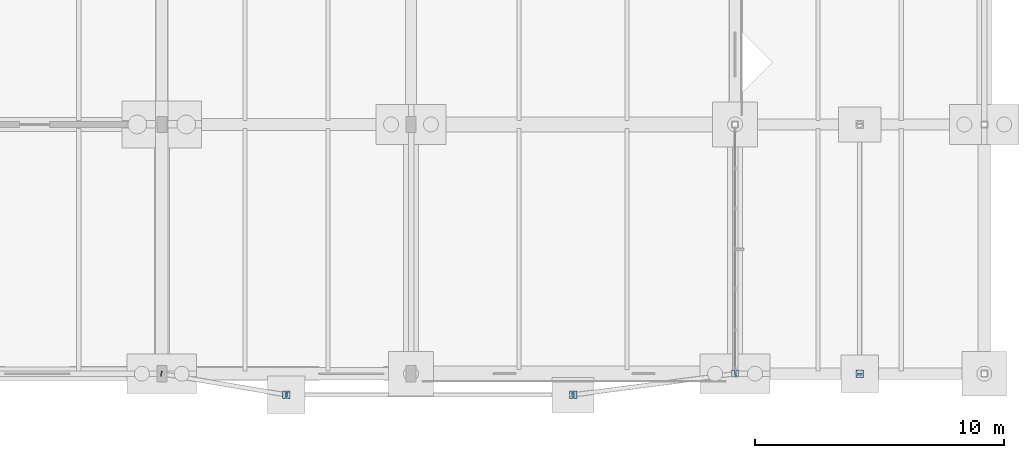
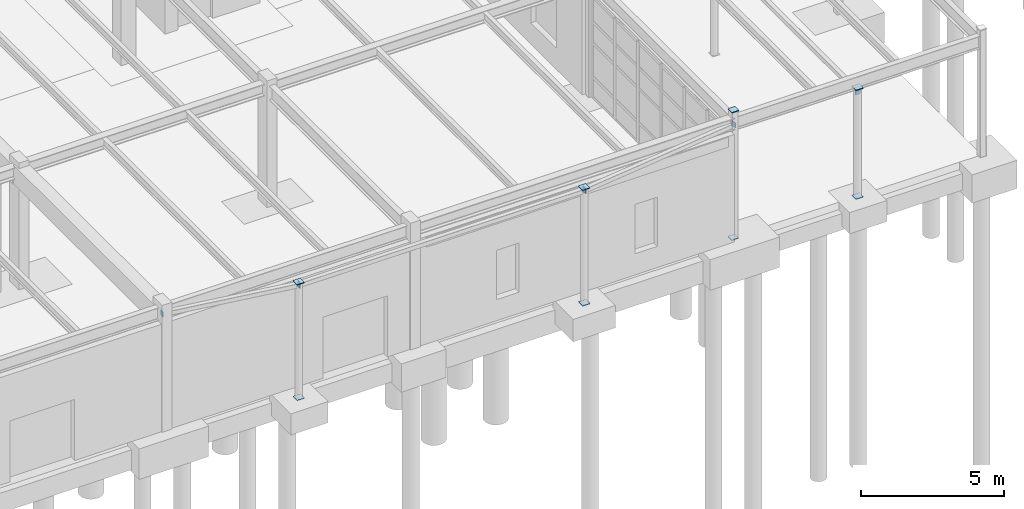
# One storey, part 101 of 145: 15 plates.
"""IFC4 building model written with IfcOpenShell, lengths in metres."""

from ifc_helpers import new_model, si_unit, direction, frame, origin, origin_2d, place, context, subcontext, project, spatial, rectangle, extrude, material, layer, layer_set, type_object, element, save


model = new_model("IFC4")

# Units and contexts
model_context = context("Model", 3, precision=1e-05, world=origin(), true_north=direction((0.0, 1.0)))
body_context = subcontext(model_context, "Body", "Model", "MODEL_VIEW")
ifc_project = project(units=[si_unit("LENGTHUNIT", "METRE"), si_unit("AREAUNIT", "SQUARE_METRE"), si_unit("VOLUMEUNIT", "CUBIC_METRE"), si_unit("PLANEANGLEUNIT", "RADIAN"), si_unit("MASSUNIT", "GRAM", prefix="KILO"), si_unit("THERMODYNAMICTEMPERATUREUNIT", "KELVIN"), si_unit("POWERUNIT", "WATT")], contexts=[model_context])

# Site, building, storey
site_placement = place(None, origin())
site = spatial("IfcSite", under=ifc_project, at=site_placement, CompositionType="ELEMENT")
building_placement = place(site_placement, origin())
building = spatial("IfcBuilding", under=site, at=building_placement, Name="Korenveer Ferry Terminal", CompositionType="ELEMENT")
storey_placement = place(building_placement, origin())
storey = spatial("IfcBuildingStorey", under=building, at=storey_placement, Name="L00", CompositionType="ELEMENT", Elevation=0.0)

# Plates
ifc_material = material(Name="Steel S355", Category="steel")
ifc_layer = layer(ifc_material, 0.031982421875)
ifc_layer_set = layer_set([ifc_layer], Name="Steel S355")
plate_type = type_object("IfcPlateType", Name="STR-PLT-CAP32", PredefinedType="USERDEFINED", material=ifc_layer_set)
for number, where, z_axis, x_axis, name in (
    (1, (53.0, 0.0, -0.0322265625), (0.0, 0.0, 1.0), (1.0, 0.0, 0.0), "Hollow section end cap 6"),
    (2, (53.0, 0.0, 5.39990234375), (0.0, 0.0, 1.0), (1.0, 0.0, 0.0), "Hollow section end cap 7"),
):
    element("IfcPlate", number, at=place(storey_placement, frame(where, z_axis=z_axis, x_axis=x_axis)), inside=storey, type_object=plate_type, Name=name, ObjectType="END CAP PLATE", PredefinedType="USERDEFINED", context=body_context, shape_type="SweptSolid", body=[
        extrude(rectangle(XDim=0.280029296875, YDim=0.280029296875, at=origin_2d()), origin(), (0.0, 0.0, 1.0), 0.031982421875),
    ])
for number, where, z_axis, x_axis, name in (
    (3, (35.0, -0.85009765625, -0.0322265625), (0.0, 0.0, 1.0), (1.0, 0.0, 0.0), "Hollow section end cap 534"),
    (4, (35.0, -0.85009765625, 4.89990234375), (0.0, 0.0, 1.0), (1.0, 0.0, 0.0), "Hollow section end cap 535"),
    (5, (46.5, -0.85009765625, -0.0322265625), (0.0, 0.0, 1.0), (1.0, 0.0, 0.0), "Hollow section end cap 536"),
    (6, (46.5, -0.85009765625, 4.89990234375), (0.0, 0.0, 1.0), (1.0, 0.0, 0.0), "Hollow section end cap 537"),
    (7, (58.0, 0.0, -0.0322265625), (0.0, 0.0, 1.0), (1.0, 0.0, 0.0), "Hollow section end cap 538"),
    (8, (58.0, 0.0, 4.60986328125), (0.0, 0.0, 1.0), (1.0, 0.0, 0.0), "Hollow section end cap 539"),
):
    element("IfcPlate", number, at=place(storey_placement, frame(where, z_axis=z_axis, x_axis=x_axis)), inside=storey, type_object=plate_type, Name=name, ObjectType="END CAP PLATE", PredefinedType="USERDEFINED", context=body_context, shape_type="SweptSolid", body=[
        extrude(rectangle(XDim=0.302978515625, YDim=0.302978515625, at=origin_2d()), origin(), (0.0, 0.0, 1.0), 0.031982421875),
    ])
for number, where, z_axis, x_axis, name in (
    (9, (34.9677734375, -0.85009765625, 4.800048828125), (1.0, 0.0, 0.0), (0.0, 1.0, 0.0), "Hollow section end cap 550"),
    (10, (46.5, -0.85009765625, 4.800048828125), (1.0, 0.0, 0.0), (0.0, 1.0, 0.0), "Hollow section end cap 551"),
    (11, (29.96826171875, 0.00537109375, 4.800048828125), (0.985855846668, -0.167595493944, 0.0), (0.167595493944, 0.985855846668, 0.0), "Hollow section end cap 552"),
    (12, (35.0, -0.85009765625, 4.800048828125), (0.985855846668, -0.167595493944, 0.0), (0.167595493944, 0.985855846668, 0.0), "Hollow section end cap 553"),
    (13, (53.03173828125, 0.00390625, 4.800048828125), (-0.991557825803, -0.129665253974, 0.0), (0.129665253974, -0.991557825803, 0.0), "Hollow section end cap 554"),
    (14, (46.5, -0.85009765625, 4.800048828125), (-0.991557825803, -0.129665253974, 0.0), (0.129665253974, -0.991557825803, 0.0), "Hollow section end cap 555"),
    (15, (58.0, -0.0322265625, 4.449951171875), (0.0, 1.0, 0.0), (-1.0, 0.0, 0.0), "Hollow section end cap 556"),
):
    element("IfcPlate", number, at=place(storey_placement, frame(where, z_axis=z_axis, x_axis=x_axis)), inside=storey, type_object=plate_type, Name=name, ObjectType="END CAP PLATE", PredefinedType="USERDEFINED", context=body_context, shape_type="SweptSolid", body=[
        extrude(rectangle(XDim=0.2099609375, YDim=0.2099609375, at=origin_2d()), origin(), (0.0, 0.0, 1.0), 0.031982421875),
    ])

save(model, "model.ifc")
